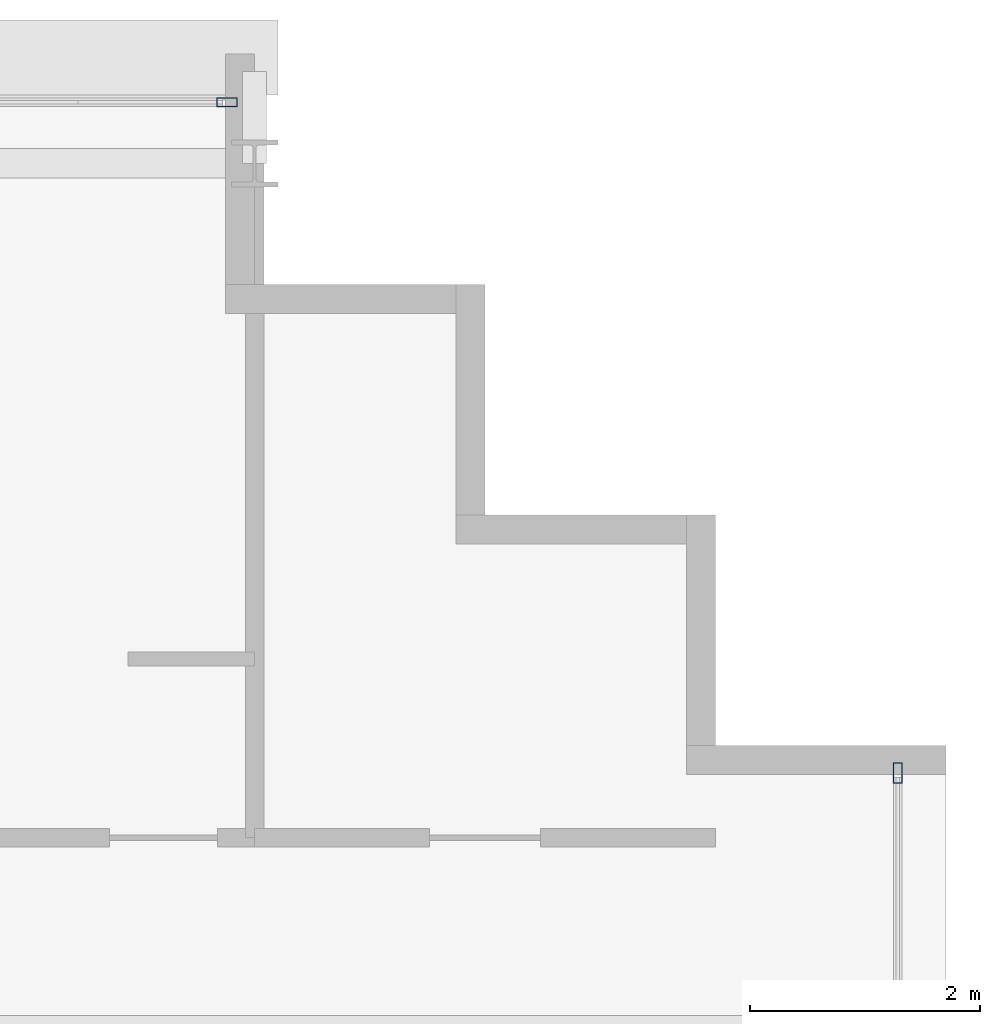
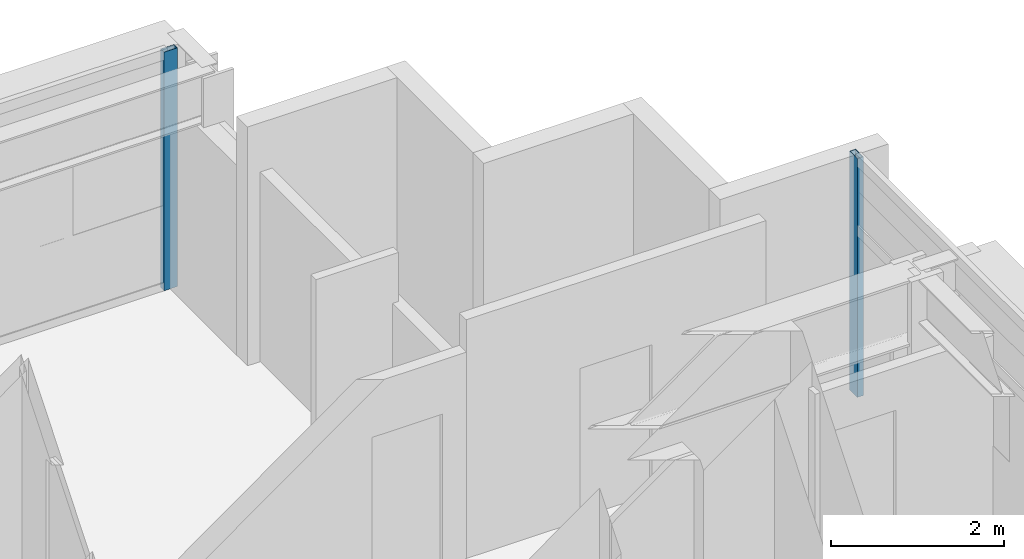
# One storey, part 19 of 31: 2 members, 2 elements without a shape of their own.
"""IFC4 building model written with IfcOpenShell, lengths in metres."""

from ifc_helpers import new_model, si_unit, direction, frame, origin, origin_2d, place, context, subcontext, project, spatial, hollow_rectangle, extrude, source, transform, mapped, material, layer, layer_set, material_profile, profile_set, type_object, element, aggregate, save


model = new_model("IFC4")

# Units and contexts
model_context = context("Model", 3, precision=1e-05, world=origin(), true_north=direction((0.0, 1.0)))
body_context = subcontext(model_context, "Body", "Model", "MODEL_VIEW")
ifc_project = project(units=[si_unit("LENGTHUNIT", "METRE"), si_unit("AREAUNIT", "SQUARE_METRE"), si_unit("VOLUMEUNIT", "CUBIC_METRE"), si_unit("PLANEANGLEUNIT", "RADIAN"), si_unit("MASSUNIT", "GRAM", prefix="KILO")], contexts=[model_context])

# Site, building, storey
site_placement = place(None, origin())
site = spatial("IfcSite", under=ifc_project, at=site_placement, CompositionType="ELEMENT")
building_placement = place(site_placement, origin())
building = spatial("IfcBuilding", under=site, at=building_placement, Name="Ocotamira Hotel", CompositionType="ELEMENT")
storey_placement = place(building_placement, frame((0.0, 0.0, 202.800048828125)))
storey = spatial("IfcBuildingStorey", under=building, at=storey_placement, Name="L51", CompositionType="ELEMENT", Elevation=202.800048828125)

# Curtain wall, member
ifc_material_1 = material(Name="Anodised pale-metal aluminium and solar glass", Category="aluminium")
ifc_layer = layer(ifc_material_1, 0.199951171875)
ifc_layer_set = layer_set([ifc_layer], Name="Anodised pale-metal aluminium and solar glass")
curtain_wall_type = type_object("IfcCurtainWallType", Name="CW-SYS4-Z3", PredefinedType="NOTDEFINED", material=ifc_layer_set)
curtain_wall_1_placement = place(storey_placement, origin())
curtain_wall_1 = element("IfcCurtainWall", 1, at=curtain_wall_1_placement, inside=storey, type_object=curtain_wall_type, Name="L51 Curtain Wall CW-4 CW-L51-N", PredefinedType="NOTDEFINED")
ifc_material_2 = material(Name="Anodised pale-metal aluminium 6063-T6", Category="aluminium")
ifc_material_profile = material_profile(ifc_material_2, hollow_rectangle(XDim=0.080078125, YDim=0.179931640625, WallThickness=0.006103515625, at=origin_2d()), Name="HSS180X80X6")
ifc_profile_set = profile_set([ifc_material_profile], Name="Anodised pale-metal aluminium 6063-T6")
member_type = type_object("IfcMemberType", Name="CWM-180X75", PredefinedType="MULLION", material=ifc_profile_set)
shared_shape = source(origin(), body_context, "Body", "SweptSolid", [
    extrude(hollow_rectangle(XDim=0.080078125, YDim=0.179931640625, WallThickness=0.006103515625, at=origin_2d()), origin(), (0.0, 0.0, 1.0), 3.369873046875),
])
member_1_placement = place(storey_placement, frame((49.760009765625, 45.580078125, 0.0), z_axis=(0.0, 0.0, 1.0), x_axis=(0.0, 1.0, 0.0)))
member_1 = element("IfcMember", 2, at=member_1_placement, type_object=member_type, Name="CW-4 mullion 10", PredefinedType="MULLION", context=body_context, shape_type="MappedRepresentation", body=[
    mapped(shared_shape, transform((0.0, 0.0, 0.0), scale=1.0)),
])
aggregate(curtain_wall_1, [member_1])

curtain_wall_2_placement = place(storey_placement, origin())
curtain_wall_2 = element("IfcCurtainWall", 3, at=curtain_wall_2_placement, inside=storey, type_object=curtain_wall_type, Name="L51 Curtain Wall CW-4 CW-L51-E", PredefinedType="NOTDEFINED")
member_2_placement = place(storey_placement, frame((55.580078125, 39.760009765625, 0.0), z_axis=(0.0, 0.0, 1.0), x_axis=(-1.0, 0.0, 0.0)))
member_2 = element("IfcMember", 4, at=member_2_placement, type_object=member_type, Name="CW-4 mullion 6", PredefinedType="MULLION", context=body_context, shape_type="MappedRepresentation", body=[
    mapped(shared_shape, transform((0.0, 0.0, 0.0), scale=1.0)),
])
aggregate(curtain_wall_2, [member_2])

save(model, "model.ifc")
